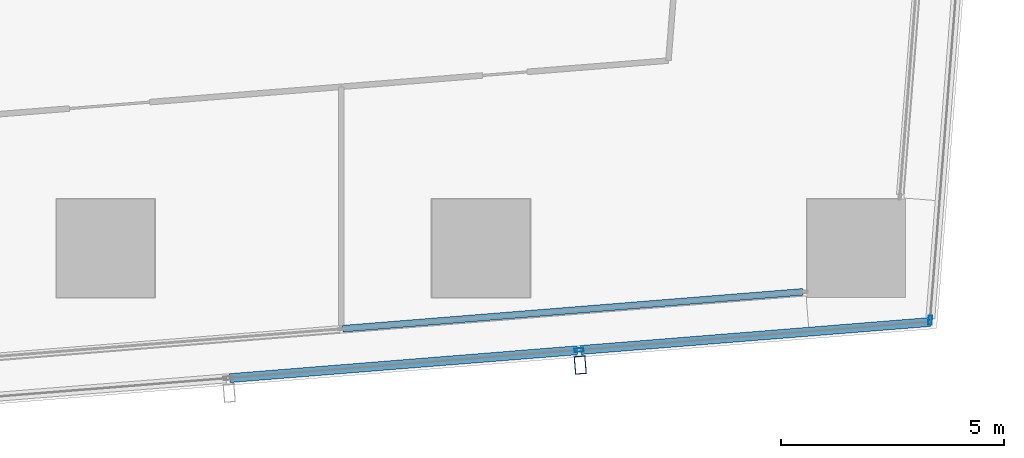
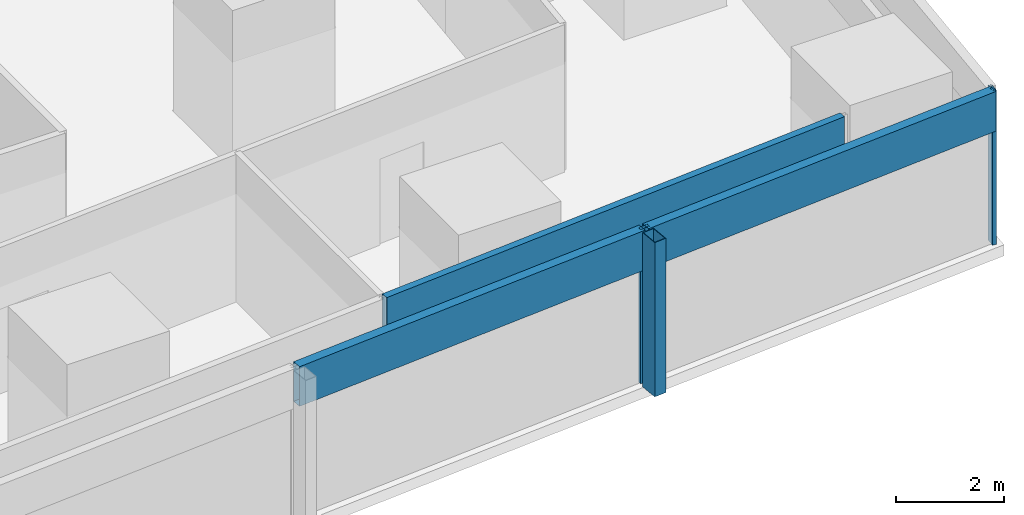
# One storey, part 11 of 44: 6 members, 3 elements without a shape of their own.
"""IFC4 building model written with IfcOpenShell, lengths in metres."""

from ifc_helpers import new_model, si_unit, direction, frame, origin, origin_2d, place, context, subcontext, project, spatial, hollow_rectangle, extrude, material, material_profile, profile_set, type_object, element, aggregate, save


model = new_model("IFC4")

# Units and contexts
model_context = context("Model", 3, precision=1e-05, world=origin(), true_north=direction((0.0, 1.0)))
body_context = subcontext(model_context, "Body", "Model", "MODEL_VIEW")
ifc_project = project(units=[si_unit("LENGTHUNIT", "METRE"), si_unit("AREAUNIT", "SQUARE_METRE"), si_unit("VOLUMEUNIT", "CUBIC_METRE"), si_unit("PLANEANGLEUNIT", "RADIAN"), si_unit("MASSUNIT", "GRAM", prefix="KILO")], contexts=[model_context])

# Site, building, storey
site_placement = place(None, origin())
site = spatial("IfcSite", under=ifc_project, at=site_placement, CompositionType="ELEMENT")
building_placement = place(site_placement, origin())
building = spatial("IfcBuilding", under=site, at=building_placement, Name="Rekha Terrace Tower", CompositionType="ELEMENT")
storey_placement = place(building_placement, frame((0.0, 0.0, 74.14990234375)))
storey = spatial("IfcBuildingStorey", under=building, at=storey_placement, Name="L18", CompositionType="ELEMENT", Elevation=74.14990234375)

# Curtain wall, member
ifc_material_1 = material(Name="Aluminium framing", Category="aluminium")
curtain_wall_type_1 = type_object("IfcCurtainWallType", Name="CW2 double skin outer glazing", PredefinedType="USERDEFINED", material=ifc_material_1)
curtain_wall_1_placement = place(storey_placement, origin())
curtain_wall_1 = element("IfcCurtainWall", 1, at=curtain_wall_1_placement, inside=storey, type_object=curtain_wall_type_1, Name="CW2 double skin outer glazing", ObjectType="DOUBLE SKIN OUTER GLAZING", PredefinedType="USERDEFINED")
ifc_material_2 = material(Name="Steel S355 with fluorocarbon finish", Category="steel")
ifc_material_profile_1 = material_profile(ifc_material_2, hollow_rectangle(XDim=0.25, YDim=0.39990234375, WallThickness=0.012451171875, at=origin_2d()), Name="RHS400x250x12.5")
ifc_profile_set_1 = profile_set([ifc_material_profile_1], Name="Steel S355 with fluorocarbon finish")
member_type_1 = type_object("IfcMemberType", Name="BL1 facade blade RHS 400 x 250", PredefinedType="USERDEFINED", material=ifc_profile_set_1)
member_1_placement = place(storey_placement, frame((61.022705078125, 5.78515625, 0.0), z_axis=(0.0, 0.0, 1.0), x_axis=(0.996805139821, 0.079871855039, 0.0)))
member_1 = element("IfcMember", 2, at=member_1_placement, type_object=member_type_1, Name="Facade blade", ObjectType="FACADE BLADE", PredefinedType="USERDEFINED", context=body_context, shape_type="SweptSolid", body=[
    extrude(hollow_rectangle(XDim=0.25, YDim=0.39990234375, WallThickness=0.012451171875, at=origin_2d()), origin(), (0.0, 0.0, 1.0), 3.5),
])

curtain_wall_type_2 = type_object("IfcCurtainWallType", Name="CW1 double skin inner glazing", PredefinedType="USERDEFINED", material=ifc_material_1)
curtain_wall_2_placement = place(storey_placement, origin())
curtain_wall_2 = element("IfcCurtainWall", 3, at=curtain_wall_2_placement, inside=storey, type_object=curtain_wall_type_2, Name="CW1 double skin inner glazing", ObjectType="DOUBLE SKIN INNER GLAZING", PredefinedType="USERDEFINED")
ifc_material_3 = material(Name="Insulated aluminium spandrel box", Category="aluminium")
ifc_material_profile_2 = material_profile(ifc_material_3, hollow_rectangle(XDim=0.14990234375, YDim=0.89990234375, WallThickness=0.0029296875, at=origin_2d()), Name="AL SPANDREL BOX 150x900")
ifc_profile_set_2 = profile_set([ifc_material_profile_2], Name="Insulated aluminium spandrel box")
member_type_2 = type_object("IfcMemberType", Name="CW1 spandrel transom 150 x 900", PredefinedType="USERDEFINED", material=ifc_profile_set_2)
member_2_placement = place(storey_placement, frame((55.704345703125, 6.59814453125, 3.050048828125), z_axis=(0.996806184606, 0.079858814989, 0.0), x_axis=(-0.079858814989, 0.996806184606, 0.0)))
member_2 = element("IfcMember", 4, at=member_2_placement, type_object=member_type_2, Name="CW1 spandrel transom 2", ObjectType="TRANSOM", PredefinedType="USERDEFINED", context=body_context, shape_type="SweptSolid", body=[
    extrude(hollow_rectangle(XDim=0.14990234375, YDim=0.89990234375, WallThickness=0.0029296875, at=origin_2d()), origin(), (0.0, 0.0, 1.0), 10.336181640625),
])
aggregate(curtain_wall_2, [member_2])

# Member
ifc_material_4 = material(Name="Aluminium mullion section", Category="aluminium")
ifc_material_profile_3 = material_profile(ifc_material_4, hollow_rectangle(XDim=0.080078125, YDim=0.199951171875, WallThickness=0.00390625, at=origin_2d()), Name="AL RHS 80x200")
ifc_profile_set_3 = profile_set([ifc_material_profile_3], Name="Aluminium mullion section")
member_type_3 = type_object("IfcMemberType", Name="CW2 mullion RHS 80 x 200", PredefinedType="MULLION", material=ifc_profile_set_3)
member_3_placement = place(storey_placement, frame((60.99609375, 6.119140625, 0.0), z_axis=(0.0, 0.0, 1.0), x_axis=(-0.079872204468, 0.996805111821, 0.0)))
member_3 = element("IfcMember", 5, at=member_3_placement, type_object=member_type_3, Name="CW2 mullion 3", PredefinedType="MULLION", context=body_context, shape_type="SweptSolid", body=[
    extrude(hollow_rectangle(XDim=0.080078125, YDim=0.199951171875, WallThickness=0.00390625, at=origin_2d()), origin(), (0.0, 0.0, 1.0), 3.5),
])

# Curtain wall, member
curtain_wall_3_placement = place(storey_placement, origin())
curtain_wall_3 = element("IfcCurtainWall", 6, at=curtain_wall_3_placement, inside=storey, type_object=curtain_wall_type_1, Name="CW2 double skin outer glazing", ObjectType="DOUBLE SKIN OUTER GLAZING", PredefinedType="USERDEFINED")
member_4_placement = place(storey_placement, frame((68.8544921875, 6.78857421875, 0.0), z_axis=(0.0, 0.0, 1.0), x_axis=(-0.996865392575, 0.079116301017, 0.0)))
member_4 = element("IfcMember", 7, at=member_4_placement, type_object=member_type_3, Name="CW2 mullion 1", PredefinedType="MULLION", context=body_context, shape_type="SweptSolid", body=[
    extrude(hollow_rectangle(XDim=0.080078125, YDim=0.199951171875, WallThickness=0.00390625, at=origin_2d()), origin(), (0.0, 0.0, 1.0), 3.5),
])
aggregate(curtain_wall_3, [member_4])

# Member
ifc_material_profile_4 = material_profile(ifc_material_3, hollow_rectangle(XDim=0.199951171875, YDim=0.89990234375, WallThickness=0.0029296875, at=origin_2d()), Name="AL SPANDREL BOX 200x900")
ifc_profile_set_4 = profile_set([ifc_material_profile_4], Name="Insulated aluminium spandrel box")
member_type_4 = type_object("IfcMemberType", Name="CW2 spandrel transom 200 x 900", PredefinedType="USERDEFINED", material=ifc_profile_set_4)
member_5_placement = place(storey_placement, frame((53.1806640625, 5.492919921875, 3.050048828125), z_axis=(0.996804920132, 0.079874596715, 0.0), x_axis=(-0.079874596715, 0.996804920132, 0.0)))
member_5 = element("IfcMember", 8, at=member_5_placement, type_object=member_type_4, Name="CW2 spandrel transom 2", ObjectType="TRANSOM", PredefinedType="USERDEFINED", context=body_context, shape_type="SweptSolid", body=[
    extrude(hollow_rectangle(XDim=0.199951171875, YDim=0.89990234375, WallThickness=0.0029296875, at=origin_2d()), origin(), (0.0, 0.0, 1.0), 7.80029296875),
])

member_6_placement = place(storey_placement, frame((61.035888671875, 6.122314453125, 3.050048828125), z_axis=(0.996805270739, 0.07987022115, 0.0), x_axis=(-0.07987022115, 0.996805270739, 0.0)))
member_6 = element("IfcMember", 9, at=member_6_placement, type_object=member_type_4, Name="CW2 spandrel transom 3", ObjectType="TRANSOM", PredefinedType="USERDEFINED", context=body_context, shape_type="SweptSolid", body=[
    extrude(hollow_rectangle(XDim=0.199951171875, YDim=0.89990234375, WallThickness=0.0029296875, at=origin_2d()), origin(), (0.0, 0.0, 1.0), 7.840576171875),
])

aggregate(curtain_wall_1, [member_3, member_5, member_6, member_1])

save(model, "model.ifc")
